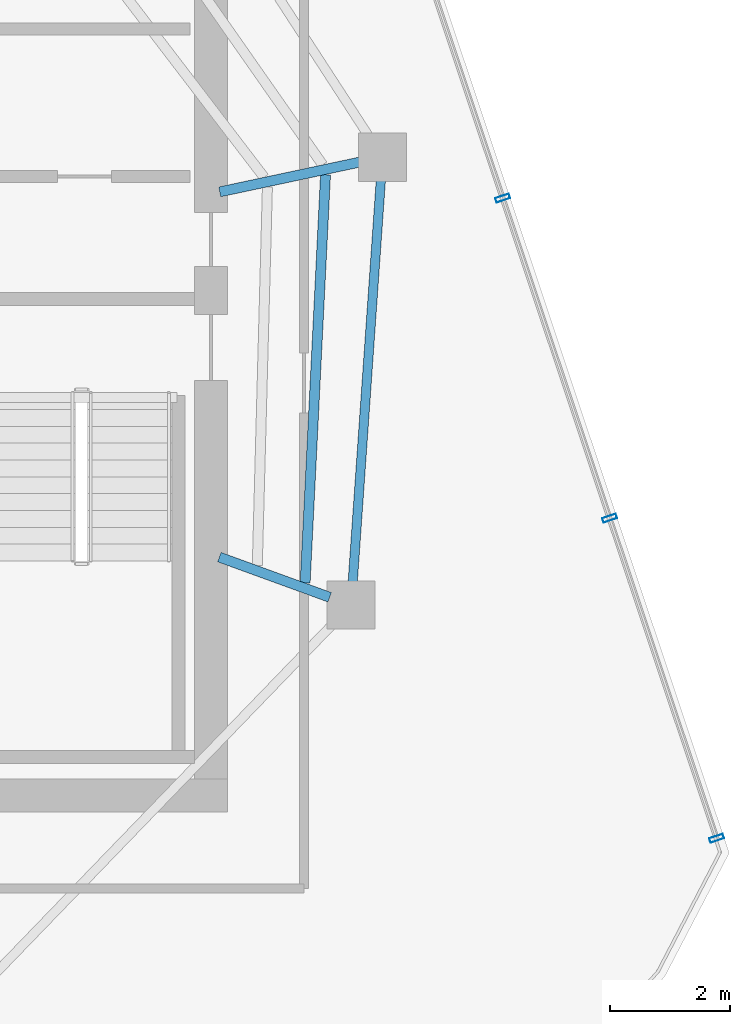
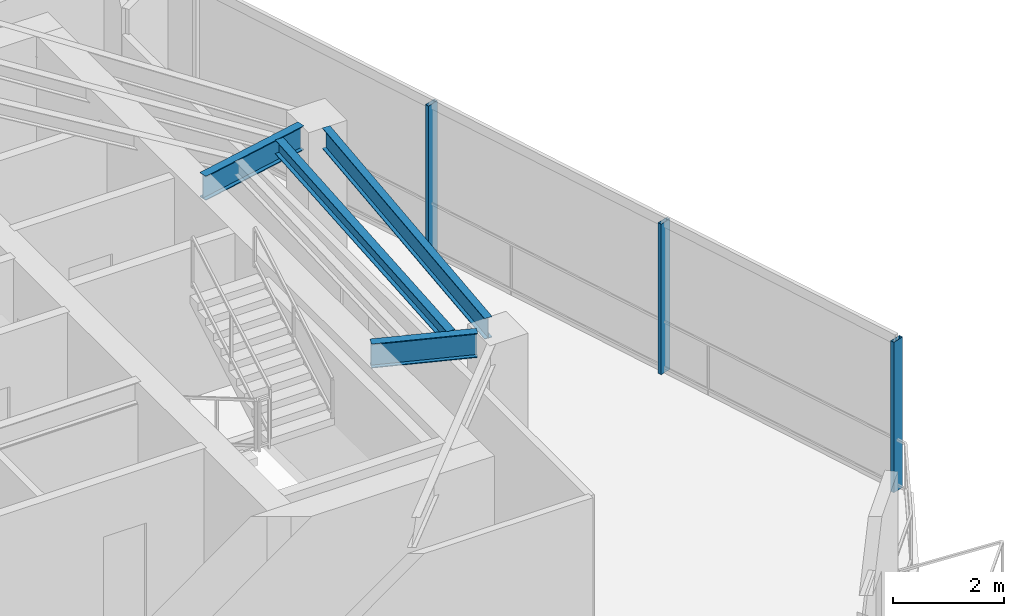
# One storey, part 10 of 18: 4 beams, 3 members, 1 element without a shape of its own.
"""IFC4 building model written with IfcOpenShell, lengths in metres."""

from ifc_helpers import new_model, si_unit, direction, frame, origin, origin_2d, place, context, subcontext, project, spatial, hollow_rectangle, i_section, extrude, material, layer, layer_set, material_profile, profile_set, type_object, element, aggregate, save


model = new_model("IFC4")

# Units and contexts
model_context = context("Model", 3, precision=1e-05, world=origin(), true_north=direction((0.0, 1.0)))
body_context = subcontext(model_context, "Body", "Model", "MODEL_VIEW")
ifc_project = project(units=[si_unit("LENGTHUNIT", "METRE"), si_unit("AREAUNIT", "SQUARE_METRE"), si_unit("VOLUMEUNIT", "CUBIC_METRE"), si_unit("PLANEANGLEUNIT", "RADIAN"), si_unit("MASSUNIT", "GRAM", prefix="KILO")], contexts=[model_context])

# Site, building, storey
site_placement = place(None, origin())
site = spatial("IfcSite", under=ifc_project, at=site_placement, CompositionType="ELEMENT")
building_placement = place(site_placement, origin())
building = spatial("IfcBuilding", under=site, at=building_placement, Name="Qarnah Convention Tower", CompositionType="ELEMENT")
storey_placement = place(building_placement, frame((0.0, 0.0, 249.89990234375)))
storey = spatial("IfcBuildingStorey", under=building, at=storey_placement, Name="L67", CompositionType="ELEMENT", Elevation=249.89990234375)

# Beams
ifc_material_1 = material(Name="Structural steel S355JR", Category="steel")
ifc_material_profile_1 = material_profile(ifc_material_1, i_section(OverallWidth=0.166015625, OverallDepth=0.31201171875, WebThickness=0.007080078125, FlangeThickness=0.010986328125, at=origin_2d()), Name="W310X45")
ifc_profile_set_1 = profile_set([ifc_material_profile_1], Name="Structural steel S355JR")
beam_type_1 = type_object("IfcBeamType", Name="BM-JST-W310", PredefinedType="JOIST", material=ifc_profile_set_1)
beam_1_placement = place(storey_placement, frame((49.16796875, 22.135986328125, 3.1640625), z_axis=(0.049873147584, 0.99875556026, 0.0), x_axis=(-0.99875556026, 0.049873147584, 0.0)))
element("IfcBeam", 1, at=beam_1_placement, inside=storey, type_object=beam_type_1, Name="L67 joist BM-L67-SJST-09", PredefinedType="JOIST", context=body_context, shape_type="SweptSolid", body=[
    extrude(i_section(OverallWidth=0.166015625, OverallDepth=0.31201171875, WebThickness=0.007080078125, FlangeThickness=0.010986328125, at=origin_2d()), origin(), (0.0, 0.0, 1.0), 6.799560546875),
])
ifc_material_profile_2 = material_profile(ifc_material_1, i_section(OverallWidth=0.166015625, OverallDepth=0.535888671875, WebThickness=0.010009765625, FlangeThickness=0.01708984375, at=origin_2d()), Name="W530X85")
ifc_profile_set_2 = profile_set([ifc_material_profile_2], Name="Structural steel S355JR")
beam_type_2 = type_object("IfcBeamType", Name="BM-RAD-W530B", PredefinedType="BEAM", material=ifc_profile_set_2)
beam_2_placement = place(storey_placement, frame((47.7470703125, 28.64111328125, 3.052001953125), z_axis=(0.978103714349, 0.20811805298, 0.0), x_axis=(-0.20811805298, 0.978103714349, 0.0)))
element("IfcBeam", 2, at=beam_2_placement, inside=storey, type_object=beam_type_2, Name="L67 beam BM-L67-RAD-01", PredefinedType="BEAM", context=body_context, shape_type="SweptSolid", body=[
    extrude(i_section(OverallWidth=0.166015625, OverallDepth=0.535888671875, WebThickness=0.010009765625, FlangeThickness=0.01708984375, at=origin_2d()), origin(), (0.0, 0.0, 1.0), 2.38720703125),
])
beam_3_placement = place(storey_placement, frame((47.740966796875, 22.56396484375, 3.052001953125), z_axis=(0.93967655832, -0.342064271363, 0.0), x_axis=(0.342064271363, 0.93967655832, 0.0)))
element("IfcBeam", 3, at=beam_3_placement, inside=storey, type_object=beam_type_2, Name="L67 beam BM-L67-RAD-09", PredefinedType="BEAM", context=body_context, shape_type="SweptSolid", body=[
    extrude(i_section(OverallWidth=0.166015625, OverallDepth=0.535888671875, WebThickness=0.010009765625, FlangeThickness=0.01708984375, at=origin_2d()), origin(), (0.0, 0.0, 1.0), 1.95263671875),
])
ifc_material_profile_3 = material_profile(ifc_material_1, i_section(OverallWidth=0.154052734375, OverallDepth=0.4599609375, WebThickness=0.009033203125, FlangeThickness=0.014892578125, at=origin_2d()), Name="W460X68")
ifc_profile_set_3 = profile_set([ifc_material_profile_3], Name="Structural steel S355JR")
beam_type_3 = type_object("IfcBeamType", Name="BM-SPN-W460B", PredefinedType="SPANDREL", material=ifc_profile_set_3)
beam_4_placement = place(storey_placement, frame((49.9599609375, 22.155029296875, 3.090087890625), z_axis=(0.069820410922, 0.997559577278, 0.0), x_axis=(-0.997559577278, 0.069820410922, 0.0)))
element("IfcBeam", 4, at=beam_4_placement, inside=storey, type_object=beam_type_3, Name="L67 spandrel BM-L67-SPN-09", PredefinedType="SPANDREL", context=body_context, shape_type="SweptSolid", body=[
    extrude(i_section(OverallWidth=0.154052734375, OverallDepth=0.4599609375, WebThickness=0.009033203125, FlangeThickness=0.014892578125, at=origin_2d()), origin(), (0.0, 0.0, 1.0), 6.689208984375),
])

# Curtain wall, members
ifc_material_2 = material(Name="Tempered Low-E dark glass", Category="glass")
ifc_layer = layer(ifc_material_2, 0.176025390625)
ifc_layer_set = layer_set([ifc_layer], Name="Tempered Low-E dark glass")
curtain_wall_type = type_object("IfcCurtainWallType", Name="CWS-05", PredefinedType="NOTDEFINED", material=ifc_layer_set)
curtain_wall_placement = place(storey_placement, origin())
curtain_wall = element("IfcCurtainWall", 5, at=curtain_wall_placement, inside=storey, type_object=curtain_wall_type, Name="L67 unitised curtain wall CW-L67-F1", PredefinedType="NOTDEFINED")
ifc_material_3 = material(Name="Black anodised aluminium", Category="aluminium")
ifc_material_profile_4 = material_profile(ifc_material_3, hollow_rectangle(XDim=0.080078125, YDim=0.239990234375, WallThickness=0.0048828125, at=origin_2d()), Name="MUL-80X240")
ifc_profile_set_4 = profile_set([ifc_material_profile_4], Name="Black anodised aluminium")
member_type = type_object("IfcMemberType", Name="MUL-T5", PredefinedType="MULLION", material=ifc_profile_set_4)
member_1_placement = place(storey_placement, frame((52.455078125, 28.53759765625, 0.0), z_axis=(0.0, 0.0, 1.0), x_axis=(0.316986289479, -0.948430119873, 0.0)))
member_1 = element("IfcMember", 6, at=member_1_placement, type_object=member_type, Name="CW-L67-F1 mullion 4", PredefinedType="MULLION", context=body_context, shape_type="SweptSolid", body=[
    extrude(hollow_rectangle(XDim=0.080078125, YDim=0.239990234375, WallThickness=0.0048828125, at=origin_2d()), origin(), (0.0, 0.0, 1.0), 3.320068359375),
])
member_2_placement = place(storey_placement, frame((54.235107421875, 23.2119140625, 0.0), z_axis=(0.0, 0.0, 1.0), x_axis=(0.316986289479, -0.948430119873, 0.0)))
member_2 = element("IfcMember", 7, at=member_2_placement, type_object=member_type, Name="CW-L67-F1 mullion 5", PredefinedType="MULLION", context=body_context, shape_type="SweptSolid", body=[
    extrude(hollow_rectangle(XDim=0.080078125, YDim=0.239990234375, WallThickness=0.0048828125, at=origin_2d()), origin(), (0.0, 0.0, 1.0), 3.320068359375),
])
member_3_placement = place(storey_placement, frame((56.014892578125, 17.885986328125, 0.0), z_axis=(0.0, 0.0, 1.0), x_axis=(0.316986289479, -0.948430119873, 0.0)))
member_3 = element("IfcMember", 8, at=member_3_placement, type_object=member_type, Name="CW-L67-F1 mullion 6", PredefinedType="MULLION", context=body_context, shape_type="SweptSolid", body=[
    extrude(hollow_rectangle(XDim=0.080078125, YDim=0.239990234375, WallThickness=0.0048828125, at=origin_2d()), origin(), (0.0, 0.0, 1.0), 3.320068359375),
])
aggregate(curtain_wall, [member_1, member_2, member_3])

save(model, "model.ifc")
